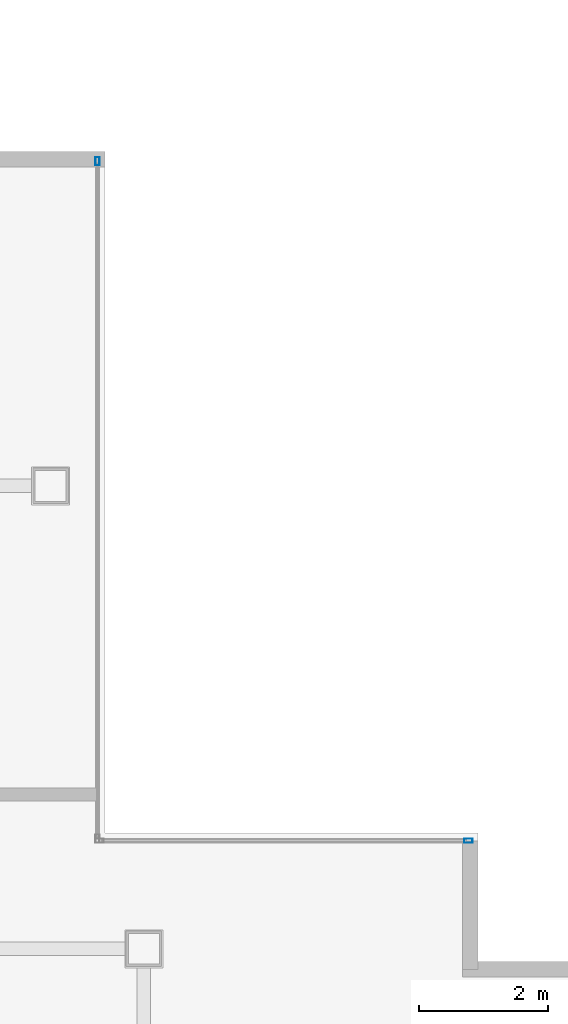
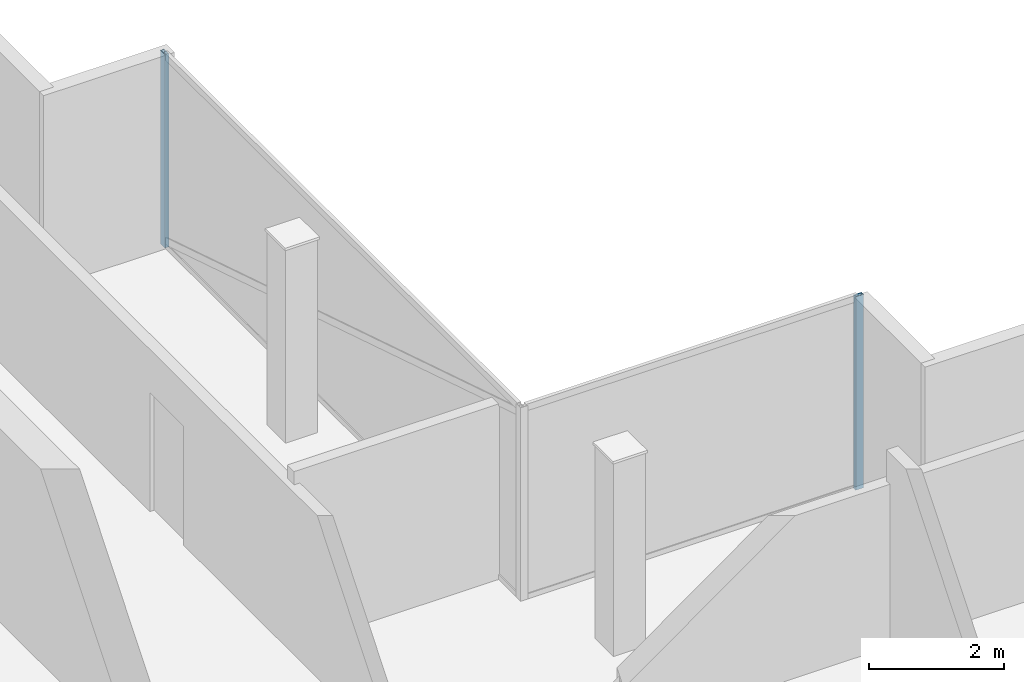
# One storey, part 11 of 15: 2 members, 2 elements without a shape of their own.
"""IFC4 building model written with IfcOpenShell, lengths in metres."""

from ifc_helpers import new_model, si_unit, direction, frame, origin, origin_2d, place, context, subcontext, project, spatial, hollow_rectangle, extrude, material, material_profile, profile_set, type_object, element, aggregate, save


model = new_model("IFC4")

# Units and contexts
model_context = context("Model", 3, precision=1e-05, world=origin(), true_north=direction((0.0, 1.0)))
body_context = subcontext(model_context, "Body", "Model", "MODEL_VIEW")
ifc_project = project(units=[si_unit("LENGTHUNIT", "METRE"), si_unit("AREAUNIT", "SQUARE_METRE"), si_unit("VOLUMEUNIT", "CUBIC_METRE"), si_unit("PLANEANGLEUNIT", "RADIAN"), si_unit("MASSUNIT", "GRAM", prefix="KILO")], contexts=[model_context])

# Site, building, storey
site_placement = place(None, origin())
site = spatial("IfcSite", under=ifc_project, at=site_placement, CompositionType="ELEMENT")
building_placement = place(site_placement, origin())
building = spatial("IfcBuilding", under=site, at=building_placement, Name="Cobrela Telecom Tower", CompositionType="ELEMENT")
storey_placement = place(building_placement, frame((0.0, 0.0, 301.35009765625)))
storey = spatial("IfcBuildingStorey", under=building, at=storey_placement, Name="L79", CompositionType="ELEMENT", Elevation=301.35009765625)

# Curtain wall, member
ifc_material = material(Name="Anodized Bronze Aluminium 6063-T6", Category="aluminium")
curtain_wall_type = type_object("IfcCurtainWallType", Name="CW-SYS-DRUM", PredefinedType="USERDEFINED", material=ifc_material)
curtain_wall_1_placement = place(storey_placement, origin())
curtain_wall_1 = element("IfcCurtainWall", 1, at=curtain_wall_1_placement, inside=storey, type_object=curtain_wall_type, Name="L79 Unitised Bronze Curtain Wall 04", ObjectType="UNITISED CURTAIN WALL", PredefinedType="USERDEFINED")
ifc_material_profile = material_profile(ifc_material, hollow_rectangle(XDim=0.06494140625, YDim=0.1298828125, WallThickness=0.00390625, at=origin_2d()), Name="ALU 65x130x4")
ifc_profile_set = profile_set([ifc_material_profile], Name="Anodized Bronze Aluminium 6063-T6")
member_type = type_object("IfcMemberType", Name="CW-SYS-DRUM-MUL", PredefinedType="MULLION", material=ifc_profile_set)
member_1_placement = place(storey_placement, frame((20.8798828125, 33.847412109375, 0.0), z_axis=(0.0, 0.0, 1.0), x_axis=(1.0, 0.0, 0.0)))
member_1 = element("IfcMember", 2, at=member_1_placement, type_object=member_type, Name="CW-DRUM mullion 1", PredefinedType="MULLION", context=body_context, shape_type="SweptSolid", body=[
    extrude(hollow_rectangle(XDim=0.06494140625, YDim=0.1298828125, WallThickness=0.00390625, at=origin_2d()), origin(), (0.0, 0.0, 1.0), 3.5),
])
aggregate(curtain_wall_1, [member_1])

curtain_wall_2_placement = place(storey_placement, origin())
curtain_wall_2 = element("IfcCurtainWall", 3, at=curtain_wall_2_placement, inside=storey, type_object=curtain_wall_type, Name="L79 Unitised Bronze Curtain Wall 05", ObjectType="UNITISED CURTAIN WALL", PredefinedType="USERDEFINED")
member_2_placement = place(storey_placement, frame((26.6474609375, 23.280029296875, 0.0), z_axis=(0.0, 0.0, 1.0), x_axis=(0.0, 1.0, 0.0)))
member_2 = element("IfcMember", 4, at=member_2_placement, type_object=member_type, Name="CW-DRUM mullion 2", PredefinedType="MULLION", context=body_context, shape_type="SweptSolid", body=[
    extrude(hollow_rectangle(XDim=0.06494140625, YDim=0.1298828125, WallThickness=0.00390625, at=origin_2d()), origin(), (0.0, 0.0, 1.0), 3.5),
])
aggregate(curtain_wall_2, [member_2])

save(model, "model.ifc")
